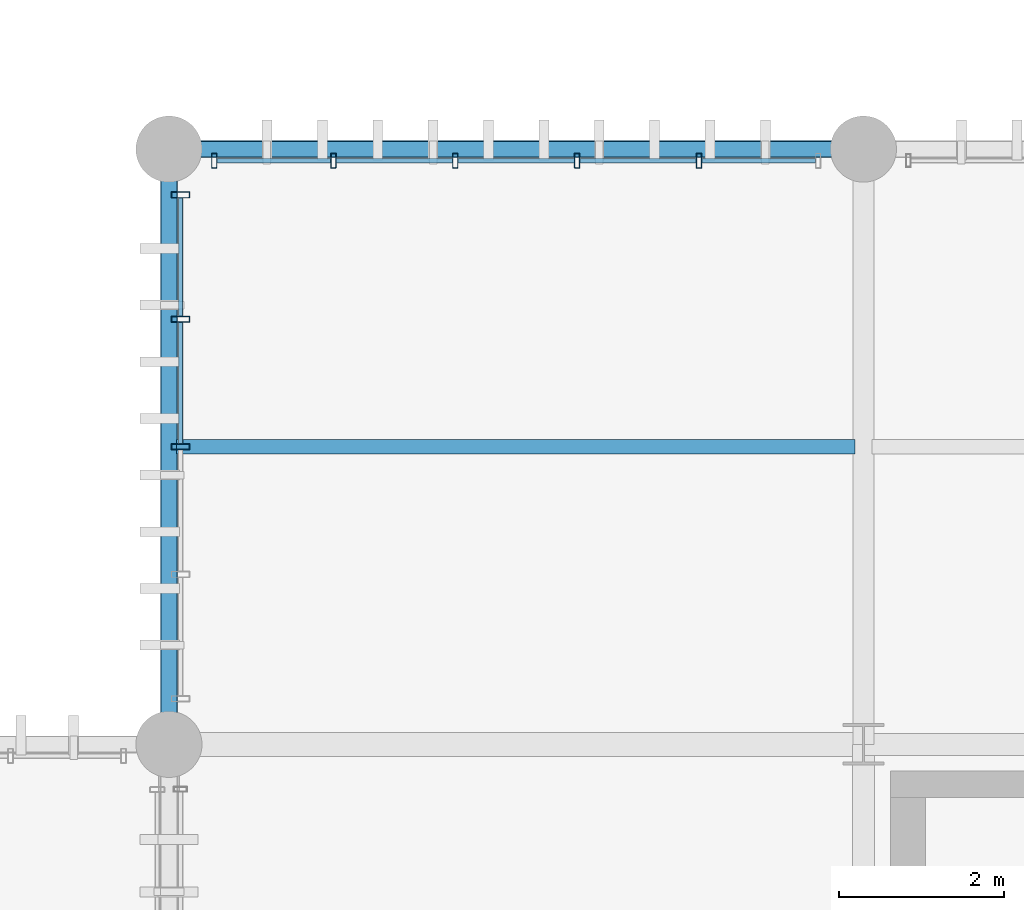
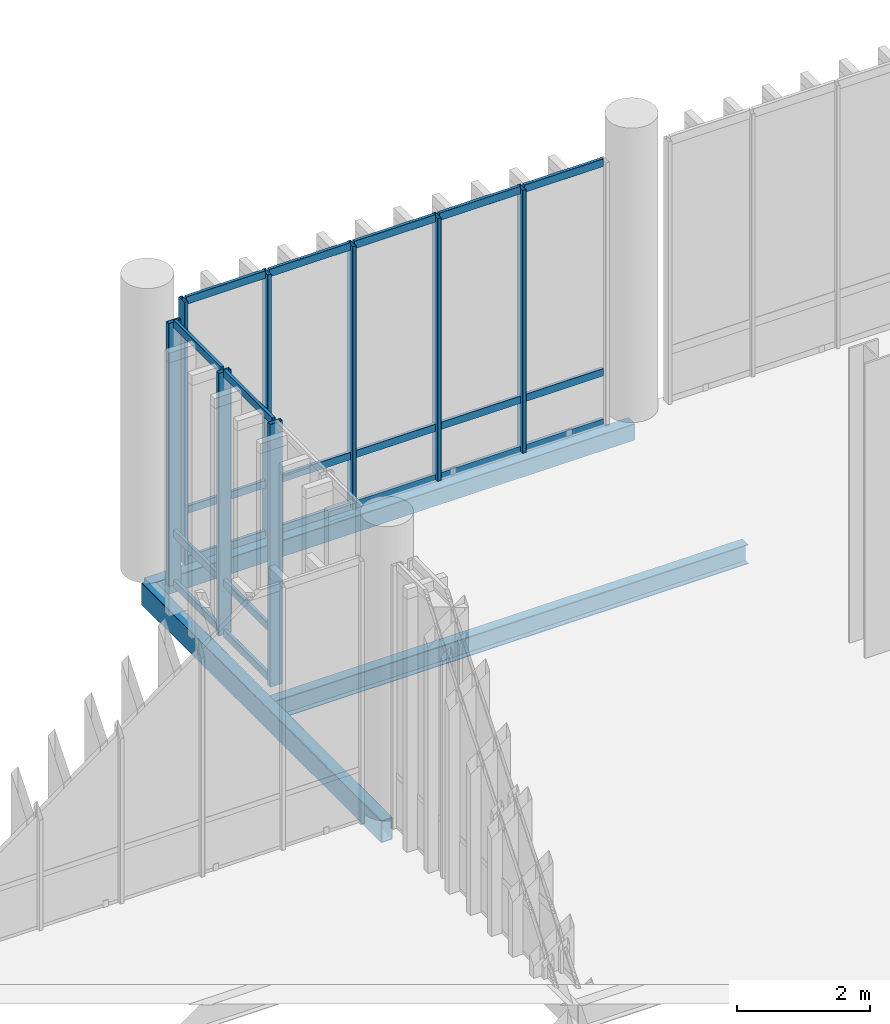
# One storey, part 43 of 128: 29 members, 3 beams, 2 elements without a shape of their own.
"""IFC4 building model written with IfcOpenShell, lengths in metres."""

from ifc_helpers import new_model, si_unit, direction, frame, origin_with_axes, origin_2d_with_axis, place, context, subcontext, project, spatial, hollow_rectangle, i_section, extrude, material, material_profile, profile_set, type_object, element, aggregate, save


model = new_model("IFC4")

# Units and contexts
model_context = context("Model", 3, precision=1e-05, world=origin_with_axes(), true_north=direction((0.0, 1.0)))
body_context = subcontext(model_context, "Body", "Model", "MODEL_VIEW")
ifc_project = project(units=[si_unit("LENGTHUNIT", "METRE"), si_unit("AREAUNIT", "SQUARE_METRE"), si_unit("VOLUMEUNIT", "CUBIC_METRE"), si_unit("PLANEANGLEUNIT", "RADIAN"), si_unit("MASSUNIT", "GRAM", prefix="KILO"), si_unit("THERMODYNAMICTEMPERATUREUNIT", "KELVIN")], contexts=[model_context])

# Site, building, storey
site_placement = place(None, origin_with_axes())
site = spatial("IfcSite", under=ifc_project, at=site_placement, CompositionType="ELEMENT")
building_placement = place(site_placement, origin_with_axes())
building = spatial("IfcBuilding", under=site, at=building_placement, Name="Montbau Bow Law Courts", CompositionType="ELEMENT")
storey_placement = place(building_placement, frame((0.0, 0.0, 5.4), z_axis=(0.0, 0.0, 1.0), x_axis=(1.0, 0.0, 0.0)))
storey = spatial("IfcBuildingStorey", under=building, at=storey_placement, Name="L01", CompositionType="ELEMENT", Elevation=5.4)

# Beams
ifc_material_1 = material(Name="Steel CSA G40.21 Grade 350W (350 MPa)", Category="steel")
ifc_material_profile_1 = material_profile(ifc_material_1, i_section(OverallWidth=0.172, OverallDepth=0.358, WebThickness=0.0079, FlangeThickness=0.0131, at=origin_2d_with_axis()), Name="W360X57", Category="Main", Priority=0)
ifc_profile_set_1 = profile_set([ifc_material_profile_1], Name="Steel CSA G40.21 Grade 350W (350 MPa)")
beam_type_1 = type_object("IfcBeamType", Name="B-JST-03", PredefinedType="JOIST", material=ifc_profile_set_1)
beam_1_placement = place(None, frame((46.88, 58.2, 4.981), z_axis=(1.0, 0.0, 0.0), x_axis=(0.0, 1.0, 0.0)))
element("IfcBeam", 1, at=beam_1_placement, inside=storey, type_object=beam_type_1, Name="JST-L01-S0418:jst2_0418", PredefinedType="JOIST", context=body_context, shape_type="SweptSolid", body=[
    extrude(i_section(OverallWidth=0.172, OverallDepth=0.358, WebThickness=0.0079, FlangeThickness=0.0131, at=origin_2d_with_axis()), origin_with_axes(), (0.0, 0.0, 1.0), 8.217),
])
ifc_material_2 = material(Name="Steel CSA G40.21 Grade 350WT (350 MPa)", Category="steel")
ifc_material_profile_2 = material_profile(ifc_material_2, hollow_rectangle(XDim=0.203, YDim=0.406, WallThickness=0.0127, InnerFilletRadius=0.0254, OuterFilletRadius=0.0127, at=origin_2d_with_axis()), Name="HSS406X203X13", Category="Main", Priority=0)
ifc_profile_set_2 = profile_set([ifc_material_profile_2], Name="Steel CSA G40.21 Grade 350WT (350 MPa)")
beam_type_2 = type_object("IfcBeamType", Name="B-SPN-01", PredefinedType="SPANDREL", material=ifc_profile_set_2)
beam_2_placement = place(None, frame((46.8, 54.6, 4.957), z_axis=(0.0, 1.0, 0.0), x_axis=(-1.0, 0.0, 0.0)))
element("IfcBeam", 2, at=beam_2_placement, inside=storey, type_object=beam_type_2, Name="SPN-L01-S0822:bm2_0825", PredefinedType="SPANDREL", context=body_context, shape_type="SweptSolid", body=[
    extrude(hollow_rectangle(XDim=0.203, YDim=0.406, WallThickness=0.0127, InnerFilletRadius=0.0254, OuterFilletRadius=0.0127, at=origin_2d_with_axis()), origin_with_axes(), (0.0, 0.0, 1.0), 7.2),
])
ifc_material_profile_3 = material_profile(ifc_material_2, hollow_rectangle(XDim=0.203, YDim=0.305, WallThickness=0.0127, InnerFilletRadius=0.0254, OuterFilletRadius=0.0127, at=origin_2d_with_axis()), Name="HSS305X203X13", Category="Main", Priority=0)
ifc_profile_set_3 = profile_set([ifc_material_profile_3], Name="Steel CSA G40.21 Grade 350WT (350 MPa)")
beam_type_3 = type_object("IfcBeamType", Name="B-SPN-02", PredefinedType="SPANDREL", material=ifc_profile_set_3)
beam_3_placement = place(None, frame((46.8, 61.8, 5.008), z_axis=(1.0, 0.0, 0.0), x_axis=(0.0, 1.0, 0.0)))
element("IfcBeam", 3, at=beam_3_placement, inside=storey, type_object=beam_type_3, Name="SPN-L01-S0816:bm2_0819", PredefinedType="SPANDREL", context=body_context, shape_type="SweptSolid", body=[
    extrude(hollow_rectangle(XDim=0.203, YDim=0.305, WallThickness=0.0127, InnerFilletRadius=0.0254, OuterFilletRadius=0.0127, at=origin_2d_with_axis()), origin_with_axes(), (0.0, 0.0, 1.0), 8.4),
])

# Curtain wall, members
ifc_material_3 = material(Name="Thermally Broken Extruded Aluminium AA 6063-T6", Category="aluminium")
curtain_wall_type = type_object("IfcCurtainWallType", Name="CW-CRM-01", PredefinedType="NOTDEFINED", material=ifc_material_3)
curtain_wall_1_placement = place(None, frame((46.94, 55.115, 5.4), z_axis=(0.0, 0.0, 1.0), x_axis=(1.0, 0.0, 0.0)))
curtain_wall_1 = element("IfcCurtainWall", 4, at=curtain_wall_1_placement, inside=storey, type_object=curtain_wall_type, Name="CW-L01-153:cw_0153", PredefinedType="NOTDEFINED")
ifc_material_profile_4 = material_profile(ifc_material_3, hollow_rectangle(XDim=0.075, YDim=0.22, WallThickness=0.005, InnerFilletRadius=0.01, OuterFilletRadius=0.005, at=origin_2d_with_axis()), Name="CWM-220X75", Category="Main", Priority=0)
ifc_profile_set_4 = profile_set([ifc_material_profile_4], Name="Thermally Broken Extruded Aluminium AA 6063-T6")
member_type_1 = type_object("IfcMemberType", Name="M-MUL-01", PredefinedType="MULLION", material=ifc_profile_set_4)
member_1_placement = place(None, frame((46.94, 58.2, 5.4), z_axis=(0.0, 0.0, 1.0), x_axis=(0.0, 1.0, 0.0)))
member_1 = element("IfcMember", 5, at=member_1_placement, type_object=member_type_1, Name="CW-L01-153-M03:cw_0153_M03", PredefinedType="MULLION", context=body_context, shape_type="SweptSolid", body=[
    extrude(hollow_rectangle(XDim=0.075, YDim=0.22, WallThickness=0.005, InnerFilletRadius=0.01, OuterFilletRadius=0.005, at=origin_2d_with_axis()), origin_with_axes(), (0.0, 0.0, 1.0), 4.82),
])
member_2_placement = place(None, frame((46.94, 59.742, 5.4), z_axis=(0.0, 0.0, 1.0), x_axis=(0.0, 1.0, 0.0)))
member_2 = element("IfcMember", 6, at=member_2_placement, type_object=member_type_1, Name="CW-L01-153-M04:cw_0153_M04", PredefinedType="MULLION", context=body_context, shape_type="SweptSolid", body=[
    extrude(hollow_rectangle(XDim=0.075, YDim=0.22, WallThickness=0.005, InnerFilletRadius=0.01, OuterFilletRadius=0.005, at=origin_2d_with_axis()), origin_with_axes(), (0.0, 0.0, 1.0), 4.82),
])
member_3_placement = place(None, frame((46.94, 61.247, 5.4), z_axis=(0.0, 0.0, 1.0), x_axis=(0.0, 1.0, 0.0)))
member_3 = element("IfcMember", 7, at=member_3_placement, type_object=member_type_1, Name="CW-L01-153-M05:cw_0153_M05", PredefinedType="MULLION", context=body_context, shape_type="SweptSolid", body=[
    extrude(hollow_rectangle(XDim=0.075, YDim=0.22, WallThickness=0.005, InnerFilletRadius=0.01, OuterFilletRadius=0.005, at=origin_2d_with_axis()), origin_with_axes(), (0.0, 0.0, 1.0), 4.82),
])

curtain_wall_2_placement = place(None, frame((47.315, 61.66, 5.4), z_axis=(0.0, 0.0, 1.0), x_axis=(1.0, 0.0, 0.0)))
curtain_wall_2 = element("IfcCurtainWall", 8, at=curtain_wall_2_placement, inside=storey, type_object=curtain_wall_type, Name="CW-L01-145:cw_0145", PredefinedType="NOTDEFINED")
ifc_material_profile_5 = material_profile(ifc_material_3, hollow_rectangle(XDim=0.065, YDim=0.18, WallThickness=0.005, InnerFilletRadius=0.01, OuterFilletRadius=0.005, at=origin_2d_with_axis()), Name="CWM-180X65", Category="Main", Priority=0)
ifc_profile_set_5 = profile_set([ifc_material_profile_5], Name="Thermally Broken Extruded Aluminium AA 6063-T6")
member_type_2 = type_object("IfcMemberType", Name="M-MUL-02", PredefinedType="MULLION", material=ifc_profile_set_5)
member_4_placement = place(None, frame((47.348, 61.66, 5.4), z_axis=(0.0, 0.0, 1.0), x_axis=(1.0, 0.0, 0.0)))
member_4 = element("IfcMember", 9, at=member_4_placement, type_object=member_type_2, Name="CW-L01-145-M01:cw_0145_M01", PredefinedType="MULLION", context=body_context, shape_type="SweptSolid", body=[
    extrude(hollow_rectangle(XDim=0.065, YDim=0.18, WallThickness=0.005, InnerFilletRadius=0.01, OuterFilletRadius=0.005, at=origin_2d_with_axis()), origin_with_axes(), (0.0, 0.0, 1.0), 4.82),
])
member_5_placement = place(None, frame((48.789, 61.66, 5.4), z_axis=(0.0, 0.0, 1.0), x_axis=(1.0, 0.0, 0.0)))
member_5 = element("IfcMember", 10, at=member_5_placement, type_object=member_type_2, Name="CW-L01-145-M02:cw_0145_M02", PredefinedType="MULLION", context=body_context, shape_type="SweptSolid", body=[
    extrude(hollow_rectangle(XDim=0.065, YDim=0.18, WallThickness=0.005, InnerFilletRadius=0.01, OuterFilletRadius=0.005, at=origin_2d_with_axis()), origin_with_axes(), (0.0, 0.0, 1.0), 4.82),
])
member_6_placement = place(None, frame((50.263, 61.66, 5.4), z_axis=(0.0, 0.0, 1.0), x_axis=(1.0, 0.0, 0.0)))
member_6 = element("IfcMember", 11, at=member_6_placement, type_object=member_type_2, Name="CW-L01-145-M03:cw_0145_M03", PredefinedType="MULLION", context=body_context, shape_type="SweptSolid", body=[
    extrude(hollow_rectangle(XDim=0.065, YDim=0.18, WallThickness=0.005, InnerFilletRadius=0.01, OuterFilletRadius=0.005, at=origin_2d_with_axis()), origin_with_axes(), (0.0, 0.0, 1.0), 4.82),
])
member_7_placement = place(None, frame((51.737, 61.66, 5.4), z_axis=(0.0, 0.0, 1.0), x_axis=(1.0, 0.0, 0.0)))
member_7 = element("IfcMember", 12, at=member_7_placement, type_object=member_type_2, Name="CW-L01-145-M04:cw_0145_M04", PredefinedType="MULLION", context=body_context, shape_type="SweptSolid", body=[
    extrude(hollow_rectangle(XDim=0.065, YDim=0.18, WallThickness=0.005, InnerFilletRadius=0.01, OuterFilletRadius=0.005, at=origin_2d_with_axis()), origin_with_axes(), (0.0, 0.0, 1.0), 4.82),
])
member_8_placement = place(None, frame((53.211, 61.66, 5.4), z_axis=(0.0, 0.0, 1.0), x_axis=(1.0, 0.0, 0.0)))
member_8 = element("IfcMember", 13, at=member_8_placement, type_object=member_type_2, Name="CW-L01-145-M05:cw_0145_M05", PredefinedType="MULLION", context=body_context, shape_type="SweptSolid", body=[
    extrude(hollow_rectangle(XDim=0.065, YDim=0.18, WallThickness=0.005, InnerFilletRadius=0.01, OuterFilletRadius=0.005, at=origin_2d_with_axis()), origin_with_axes(), (0.0, 0.0, 1.0), 4.82),
])
ifc_material_profile_6 = material_profile(ifc_material_3, hollow_rectangle(XDim=0.055, YDim=0.14, WallThickness=0.004, InnerFilletRadius=0.008, OuterFilletRadius=0.004, at=origin_2d_with_axis()), Name="CWT-140X55", Category="Main", Priority=0)
ifc_profile_set_6 = profile_set([ifc_material_profile_6], Name="Thermally Broken Extruded Aluminium AA 6063-T6")
member_type_3 = type_object("IfcMemberType", Name="M-TRN-02", PredefinedType="USERDEFINED", material=ifc_profile_set_6)
member_9_placement = place(None, frame((47.383, 61.66, 5.428), z_axis=(1.0, 0.0, 0.0), x_axis=(0.0, 1.0, 0.0)))
member_9 = element("IfcMember", 14, at=member_9_placement, type_object=member_type_3, Name="CW-L01-145-T01-1:cw_0145_T01_1", ObjectType="TRANSOM", PredefinedType="USERDEFINED", context=body_context, shape_type="SweptSolid", body=[
    extrude(hollow_rectangle(XDim=0.055, YDim=0.14, WallThickness=0.004, InnerFilletRadius=0.008, OuterFilletRadius=0.004, at=origin_2d_with_axis()), origin_with_axes(), (0.0, 0.0, 1.0), 1.372),
])
member_10_placement = place(None, frame((47.383, 61.66, 6.35), z_axis=(1.0, 0.0, 0.0), x_axis=(0.0, 1.0, 0.0)))
member_10 = element("IfcMember", 15, at=member_10_placement, type_object=member_type_3, Name="CW-L01-145-T01-2:cw_0145_T01_2", ObjectType="TRANSOM", PredefinedType="USERDEFINED", context=body_context, shape_type="SweptSolid", body=[
    extrude(hollow_rectangle(XDim=0.055, YDim=0.14, WallThickness=0.004, InnerFilletRadius=0.008, OuterFilletRadius=0.004, at=origin_2d_with_axis()), origin_with_axes(), (0.0, 0.0, 1.0), 1.372),
])
member_11_placement = place(None, frame((47.383, 61.66, 10.193), z_axis=(1.0, 0.0, 0.0), x_axis=(0.0, 1.0, 0.0)))
member_11 = element("IfcMember", 16, at=member_11_placement, type_object=member_type_3, Name="CW-L01-145-T01-3:cw_0145_T01_3", ObjectType="TRANSOM", PredefinedType="USERDEFINED", context=body_context, shape_type="SweptSolid", body=[
    extrude(hollow_rectangle(XDim=0.055, YDim=0.14, WallThickness=0.004, InnerFilletRadius=0.008, OuterFilletRadius=0.004, at=origin_2d_with_axis()), origin_with_axes(), (0.0, 0.0, 1.0), 1.372),
])
member_12_placement = place(None, frame((48.823, 61.66, 5.428), z_axis=(1.0, 0.0, 0.0), x_axis=(0.0, 1.0, 0.0)))
member_12 = element("IfcMember", 17, at=member_12_placement, type_object=member_type_3, Name="CW-L01-145-T02-1:cw_0145_T02_1", ObjectType="TRANSOM", PredefinedType="USERDEFINED", context=body_context, shape_type="SweptSolid", body=[
    extrude(hollow_rectangle(XDim=0.055, YDim=0.14, WallThickness=0.004, InnerFilletRadius=0.008, OuterFilletRadius=0.004, at=origin_2d_with_axis()), origin_with_axes(), (0.0, 0.0, 1.0), 1.405),
])
member_13_placement = place(None, frame((48.823, 61.66, 6.35), z_axis=(1.0, 0.0, 0.0), x_axis=(0.0, 1.0, 0.0)))
member_13 = element("IfcMember", 18, at=member_13_placement, type_object=member_type_3, Name="CW-L01-145-T02-2:cw_0145_T02_2", ObjectType="TRANSOM", PredefinedType="USERDEFINED", context=body_context, shape_type="SweptSolid", body=[
    extrude(hollow_rectangle(XDim=0.055, YDim=0.14, WallThickness=0.004, InnerFilletRadius=0.008, OuterFilletRadius=0.004, at=origin_2d_with_axis()), origin_with_axes(), (0.0, 0.0, 1.0), 1.405),
])
member_14_placement = place(None, frame((48.823, 61.66, 10.193), z_axis=(1.0, 0.0, 0.0), x_axis=(0.0, 1.0, 0.0)))
member_14 = element("IfcMember", 19, at=member_14_placement, type_object=member_type_3, Name="CW-L01-145-T02-3:cw_0145_T02_3", ObjectType="TRANSOM", PredefinedType="USERDEFINED", context=body_context, shape_type="SweptSolid", body=[
    extrude(hollow_rectangle(XDim=0.055, YDim=0.14, WallThickness=0.004, InnerFilletRadius=0.008, OuterFilletRadius=0.004, at=origin_2d_with_axis()), origin_with_axes(), (0.0, 0.0, 1.0), 1.405),
])
member_15_placement = place(None, frame((50.297, 61.66, 5.428), z_axis=(1.0, 0.0, 0.0), x_axis=(0.0, 1.0, 0.0)))
member_15 = element("IfcMember", 20, at=member_15_placement, type_object=member_type_3, Name="CW-L01-145-T03-1:cw_0145_T03_1", ObjectType="TRANSOM", PredefinedType="USERDEFINED", context=body_context, shape_type="SweptSolid", body=[
    extrude(hollow_rectangle(XDim=0.055, YDim=0.14, WallThickness=0.004, InnerFilletRadius=0.008, OuterFilletRadius=0.004, at=origin_2d_with_axis()), origin_with_axes(), (0.0, 0.0, 1.0), 1.406),
])
member_16_placement = place(None, frame((50.297, 61.66, 6.35), z_axis=(1.0, 0.0, 0.0), x_axis=(0.0, 1.0, 0.0)))
member_16 = element("IfcMember", 21, at=member_16_placement, type_object=member_type_3, Name="CW-L01-145-T03-2:cw_0145_T03_2", ObjectType="TRANSOM", PredefinedType="USERDEFINED", context=body_context, shape_type="SweptSolid", body=[
    extrude(hollow_rectangle(XDim=0.055, YDim=0.14, WallThickness=0.004, InnerFilletRadius=0.008, OuterFilletRadius=0.004, at=origin_2d_with_axis()), origin_with_axes(), (0.0, 0.0, 1.0), 1.406),
])
member_17_placement = place(None, frame((50.297, 61.66, 10.193), z_axis=(1.0, 0.0, 0.0), x_axis=(0.0, 1.0, 0.0)))
member_17 = element("IfcMember", 22, at=member_17_placement, type_object=member_type_3, Name="CW-L01-145-T03-3:cw_0145_T03_3", ObjectType="TRANSOM", PredefinedType="USERDEFINED", context=body_context, shape_type="SweptSolid", body=[
    extrude(hollow_rectangle(XDim=0.055, YDim=0.14, WallThickness=0.004, InnerFilletRadius=0.008, OuterFilletRadius=0.004, at=origin_2d_with_axis()), origin_with_axes(), (0.0, 0.0, 1.0), 1.406),
])
member_18_placement = place(None, frame((51.771, 61.66, 5.428), z_axis=(1.0, 0.0, 0.0), x_axis=(0.0, 1.0, 0.0)))
member_18 = element("IfcMember", 23, at=member_18_placement, type_object=member_type_3, Name="CW-L01-145-T04-1:cw_0145_T04_1", ObjectType="TRANSOM", PredefinedType="USERDEFINED", context=body_context, shape_type="SweptSolid", body=[
    extrude(hollow_rectangle(XDim=0.055, YDim=0.14, WallThickness=0.004, InnerFilletRadius=0.008, OuterFilletRadius=0.004, at=origin_2d_with_axis()), origin_with_axes(), (0.0, 0.0, 1.0), 1.406),
])
member_19_placement = place(None, frame((51.771, 61.66, 6.35), z_axis=(1.0, 0.0, 0.0), x_axis=(0.0, 1.0, 0.0)))
member_19 = element("IfcMember", 24, at=member_19_placement, type_object=member_type_3, Name="CW-L01-145-T04-2:cw_0145_T04_2", ObjectType="TRANSOM", PredefinedType="USERDEFINED", context=body_context, shape_type="SweptSolid", body=[
    extrude(hollow_rectangle(XDim=0.055, YDim=0.14, WallThickness=0.004, InnerFilletRadius=0.008, OuterFilletRadius=0.004, at=origin_2d_with_axis()), origin_with_axes(), (0.0, 0.0, 1.0), 1.406),
])
member_20_placement = place(None, frame((51.771, 61.66, 10.193), z_axis=(1.0, 0.0, 0.0), x_axis=(0.0, 1.0, 0.0)))
member_20 = element("IfcMember", 25, at=member_20_placement, type_object=member_type_3, Name="CW-L01-145-T04-3:cw_0145_T04_3", ObjectType="TRANSOM", PredefinedType="USERDEFINED", context=body_context, shape_type="SweptSolid", body=[
    extrude(hollow_rectangle(XDim=0.055, YDim=0.14, WallThickness=0.004, InnerFilletRadius=0.008, OuterFilletRadius=0.004, at=origin_2d_with_axis()), origin_with_axes(), (0.0, 0.0, 1.0), 1.406),
])
member_21_placement = place(None, frame((53.245, 61.66, 5.428), z_axis=(1.0, 0.0, 0.0), x_axis=(0.0, 1.0, 0.0)))
member_21 = element("IfcMember", 26, at=member_21_placement, type_object=member_type_3, Name="CW-L01-145-T05-1:cw_0145_T05_1", ObjectType="TRANSOM", PredefinedType="USERDEFINED", context=body_context, shape_type="SweptSolid", body=[
    extrude(hollow_rectangle(XDim=0.055, YDim=0.14, WallThickness=0.004, InnerFilletRadius=0.008, OuterFilletRadius=0.004, at=origin_2d_with_axis()), origin_with_axes(), (0.0, 0.0, 1.0), 1.374),
])
member_22_placement = place(None, frame((53.245, 61.66, 6.35), z_axis=(1.0, 0.0, 0.0), x_axis=(0.0, 1.0, 0.0)))
member_22 = element("IfcMember", 27, at=member_22_placement, type_object=member_type_3, Name="CW-L01-145-T05-2:cw_0145_T05_2", ObjectType="TRANSOM", PredefinedType="USERDEFINED", context=body_context, shape_type="SweptSolid", body=[
    extrude(hollow_rectangle(XDim=0.055, YDim=0.14, WallThickness=0.004, InnerFilletRadius=0.008, OuterFilletRadius=0.004, at=origin_2d_with_axis()), origin_with_axes(), (0.0, 0.0, 1.0), 1.374),
])
member_23_placement = place(None, frame((53.245, 61.66, 10.193), z_axis=(1.0, 0.0, 0.0), x_axis=(0.0, 1.0, 0.0)))
member_23 = element("IfcMember", 28, at=member_23_placement, type_object=member_type_3, Name="CW-L01-145-T05-3:cw_0145_T05_3", ObjectType="TRANSOM", PredefinedType="USERDEFINED", context=body_context, shape_type="SweptSolid", body=[
    extrude(hollow_rectangle(XDim=0.055, YDim=0.14, WallThickness=0.004, InnerFilletRadius=0.008, OuterFilletRadius=0.004, at=origin_2d_with_axis()), origin_with_axes(), (0.0, 0.0, 1.0), 1.374),
])
aggregate(curtain_wall_2, [member_4, member_5, member_6, member_7, member_8, member_9, member_10, member_11, member_12, member_13, member_14, member_15, member_16, member_17, member_18, member_19, member_20, member_21, member_22, member_23])

# Member
member_24_placement = place(None, frame((46.94, 58.239, 5.428), z_axis=(0.0, 1.0, 0.0), x_axis=(-1.0, 0.0, 0.0)))
member_24 = element("IfcMember", 29, at=member_24_placement, type_object=member_type_3, Name="CW-L01-153-T03-1:cw_0153_T03_1", ObjectType="TRANSOM", PredefinedType="USERDEFINED", context=body_context, shape_type="SweptSolid", body=[
    extrude(hollow_rectangle(XDim=0.055, YDim=0.14, WallThickness=0.004, InnerFilletRadius=0.008, OuterFilletRadius=0.004, at=origin_2d_with_axis()), origin_with_axes(), (0.0, 0.0, 1.0), 1.464),
])

member_25_placement = place(None, frame((46.94, 58.239, 6.35), z_axis=(0.0, 1.0, 0.0), x_axis=(-1.0, 0.0, 0.0)))
member_25 = element("IfcMember", 30, at=member_25_placement, type_object=member_type_3, Name="CW-L01-153-T03-2:cw_0153_T03_2", ObjectType="TRANSOM", PredefinedType="USERDEFINED", context=body_context, shape_type="SweptSolid", body=[
    extrude(hollow_rectangle(XDim=0.055, YDim=0.14, WallThickness=0.004, InnerFilletRadius=0.008, OuterFilletRadius=0.004, at=origin_2d_with_axis()), origin_with_axes(), (0.0, 0.0, 1.0), 1.464),
])

member_26_placement = place(None, frame((46.94, 58.239, 10.193), z_axis=(0.0, 1.0, 0.0), x_axis=(-1.0, 0.0, 0.0)))
member_26 = element("IfcMember", 31, at=member_26_placement, type_object=member_type_3, Name="CW-L01-153-T03-3:cw_0153_T03_3", ObjectType="TRANSOM", PredefinedType="USERDEFINED", context=body_context, shape_type="SweptSolid", body=[
    extrude(hollow_rectangle(XDim=0.055, YDim=0.14, WallThickness=0.004, InnerFilletRadius=0.008, OuterFilletRadius=0.004, at=origin_2d_with_axis()), origin_with_axes(), (0.0, 0.0, 1.0), 1.464),
])

member_27_placement = place(None, frame((46.94, 59.781, 5.428), z_axis=(0.0, 1.0, 0.0), x_axis=(-1.0, 0.0, 0.0)))
member_27 = element("IfcMember", 32, at=member_27_placement, type_object=member_type_3, Name="CW-L01-153-T04-1:cw_0153_T04_1", ObjectType="TRANSOM", PredefinedType="USERDEFINED", context=body_context, shape_type="SweptSolid", body=[
    extrude(hollow_rectangle(XDim=0.055, YDim=0.14, WallThickness=0.004, InnerFilletRadius=0.008, OuterFilletRadius=0.004, at=origin_2d_with_axis()), origin_with_axes(), (0.0, 0.0, 1.0), 1.427),
])

member_28_placement = place(None, frame((46.94, 59.781, 6.35), z_axis=(0.0, 1.0, 0.0), x_axis=(-1.0, 0.0, 0.0)))
member_28 = element("IfcMember", 33, at=member_28_placement, type_object=member_type_3, Name="CW-L01-153-T04-2:cw_0153_T04_2", ObjectType="TRANSOM", PredefinedType="USERDEFINED", context=body_context, shape_type="SweptSolid", body=[
    extrude(hollow_rectangle(XDim=0.055, YDim=0.14, WallThickness=0.004, InnerFilletRadius=0.008, OuterFilletRadius=0.004, at=origin_2d_with_axis()), origin_with_axes(), (0.0, 0.0, 1.0), 1.427),
])

member_29_placement = place(None, frame((46.94, 59.781, 10.193), z_axis=(0.0, 1.0, 0.0), x_axis=(-1.0, 0.0, 0.0)))
member_29 = element("IfcMember", 34, at=member_29_placement, type_object=member_type_3, Name="CW-L01-153-T04-3:cw_0153_T04_3", ObjectType="TRANSOM", PredefinedType="USERDEFINED", context=body_context, shape_type="SweptSolid", body=[
    extrude(hollow_rectangle(XDim=0.055, YDim=0.14, WallThickness=0.004, InnerFilletRadius=0.008, OuterFilletRadius=0.004, at=origin_2d_with_axis()), origin_with_axes(), (0.0, 0.0, 1.0), 1.427),
])

aggregate(curtain_wall_1, [member_1, member_2, member_3, member_24, member_25, member_26, member_27, member_28, member_29])

save(model, "model.ifc")
